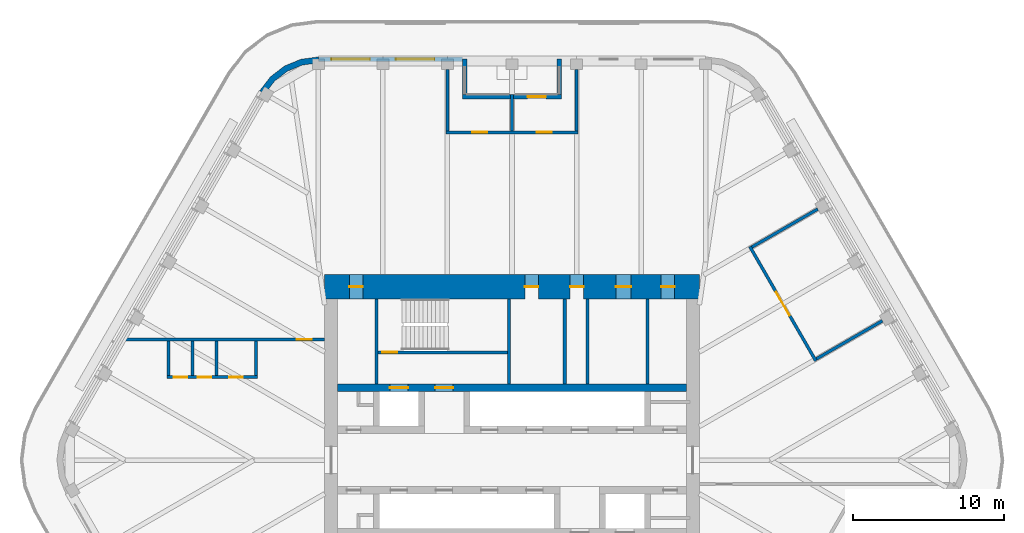
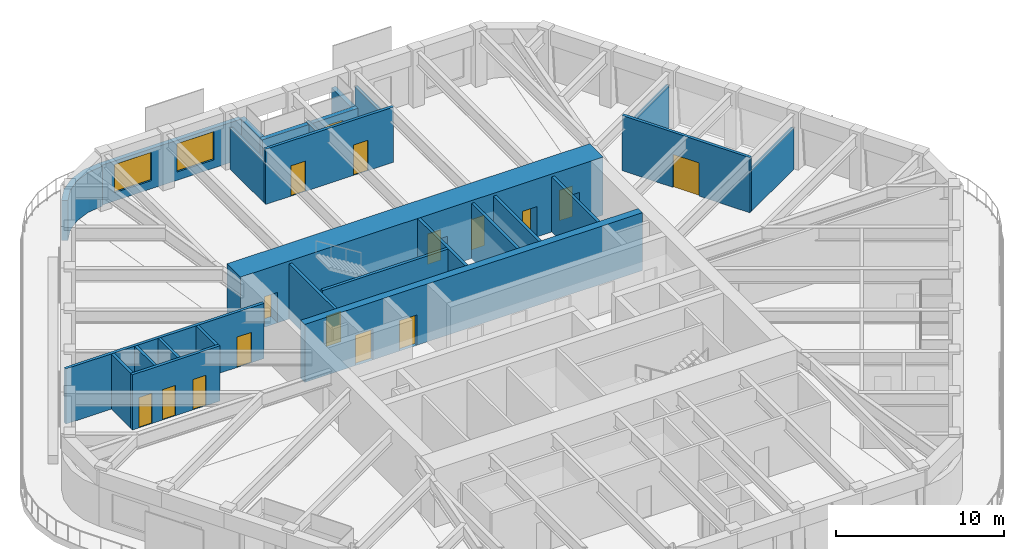
# One storey, part 16 of 20: 26 walls, 16 doors, 2 windows, 18 openings.
"""IFC4 building model written with IfcOpenShell, lengths in metres."""

from ifc_helpers import new_model, si_unit, direction, frame, frame_2d, origin, place, context, subcontext, project, spatial, polyline, rectangle, outline, extrude, material, layer, layer_set, type_object, element, fill, save


model = new_model("IFC4")

# Units and contexts
model_context = context("Model", 3, precision=1e-05, world=origin(), true_north=direction((0.0, 1.0)))
body_context = subcontext(model_context, "Body", "Model", "MODEL_VIEW")
ifc_project = project(units=[si_unit("LENGTHUNIT", "METRE"), si_unit("AREAUNIT", "SQUARE_METRE"), si_unit("VOLUMEUNIT", "CUBIC_METRE"), si_unit("PLANEANGLEUNIT", "RADIAN"), si_unit("MASSUNIT", "GRAM", prefix="KILO")], contexts=[model_context])

# Site, building, storey
site_placement = place(None, origin())
site = spatial("IfcSite", under=ifc_project, at=site_placement, CompositionType="ELEMENT")
building_placement = place(site_placement, origin())
building = spatial("IfcBuilding", under=site, at=building_placement, Name="Tarfa Lantern Tower", CompositionType="ELEMENT")
storey_placement = place(building_placement, frame((0.0, 0.0, 382.89990234375)))
storey = spatial("IfcBuildingStorey", under=building, at=storey_placement, Name="L87", CompositionType="ELEMENT", Elevation=382.89990234375)

# Wall, openings, windows
ifc_material_1 = material(Name="Limestone cladding on blockwork", Category="masonry")
ifc_layer_1 = layer(ifc_material_1, 0.300048828125)
ifc_layer_set_1 = layer_set([ifc_layer_1], Name="EW1 STONE-CLAD WALL 300")
wall_type_1 = type_object("IfcWallType", Name="EW1 STONE-CLAD WALL 300", PredefinedType="SOLIDWALL", material=ifc_layer_set_1)
wall_1_placement = place(storey_placement, frame((-3.281982421875, 26.60009765625, 0.0), z_axis=(0.0, 0.0, 1.0), x_axis=(-1.0, 0.0, 0.0)))
wall_1 = element("IfcWall", 1, at=wall_1_placement, inside=storey, type_object=wall_type_1, Name="Stone wall NB", PredefinedType="SOLIDWALL", context=body_context, shape_type="SweptSolid", body=[
    extrude(rectangle(XDim=9.56396484375, YDim=0.300048828125, at=frame_2d((4.781982421875, 0.0))), origin(), (0.0, 0.0, 1.0), 2.900146484375),
])
opening_1_placement = place(wall_1_placement, frame((1.865966796875, 0.0, 0.60009765625)))
opening_1 = element("IfcOpeningElement", 2, at=opening_1_placement, cuts=wall_1, Name="Opening W17", PredefinedType="OPENING", context=body_context, shape_type="SweptSolid", body=[
    extrude(rectangle(XDim=2.550048828125, YDim=2.050048828125, at=frame_2d((1.27490234375, 1.02490234375))), frame((0.0, 0.159912109375, 0.0), z_axis=(0.0, -1.0, 0.0), x_axis=(1.0, 0.0, 0.0)), (0.0, 0.0, 1.0), 0.320068359375),
])
opening_2_placement = place(wall_1_placement, frame((6.14794921875, 0.0, 0.60009765625)))
opening_2 = element("IfcOpeningElement", 3, at=opening_2_placement, cuts=wall_1, Name="Opening W17", PredefinedType="OPENING", context=body_context, shape_type="SweptSolid", body=[
    extrude(rectangle(XDim=2.550048828125, YDim=2.050048828125, at=frame_2d((1.27490234375, 1.02490234375))), frame((0.0, 0.159912109375, 0.0), z_axis=(0.0, -1.0, 0.0), x_axis=(1.0, 0.0, 0.0)), (0.0, 0.0, 1.0), 0.320068359375),
])
ifc_material_2 = material(Name="Aluminium frame, double glazed", Category="aluminium")
window_type = type_object("IfcWindowType", Name="W17 FULL-HEIGHT GLAZING 2550x2050", PartitioningType="SINGLE_PANEL", PredefinedType="WINDOW", material=ifc_material_2)
window_1_placement = place(opening_1_placement, origin())
window_1 = element("IfcWindow", 4, at=window_1_placement, inside=storey, type_object=window_type, Name="Window NB 1", OverallHeight=2.050048828125, OverallWidth=2.550048828125, PartitioningType="SINGLE_PANEL", PredefinedType="WINDOW", context=body_context, shape_type="SweptSolid", body=[
    extrude(rectangle(XDim=2.550048828125, YDim=2.050048828125, at=frame_2d((1.27490234375, 1.02490234375))), frame((0.0, 0.030029296875, 0.0), z_axis=(0.0, -1.0, 0.0), x_axis=(1.0, 0.0, 0.0)), (0.0, 0.0, 1.0), 0.06005859375),
])
fill(opening_1, window_1)
window_2_placement = place(opening_2_placement, origin())
window_2 = element("IfcWindow", 5, at=window_2_placement, inside=storey, type_object=window_type, Name="Window NB 2", OverallHeight=2.050048828125, OverallWidth=2.550048828125, PartitioningType="SINGLE_PANEL", PredefinedType="WINDOW", context=body_context, shape_type="SweptSolid", body=[
    extrude(rectangle(XDim=2.550048828125, YDim=2.050048828125, at=frame_2d((1.27490234375, 1.02490234375))), frame((0.0, 0.030029296875, 0.0), z_axis=(0.0, -1.0, 0.0), x_axis=(1.0, 0.0, 0.0)), (0.0, 0.0, 1.0), 0.06005859375),
])
fill(opening_2, window_2)

# Walls
for number, where, z_axis, x_axis, name in (
    (6, (3.132080078125, 26.60009765625, 0.0), (0.0, 0.0, 1.0), (0.0, -1.0, 0.0), "Terrace return N 1"),
    (7, (-3.132080078125, 26.60009765625, 0.0), (0.0, 0.0, 1.0), (0.0, -1.0, 0.0), "Terrace return N 2"),
):
    element("IfcWall", number, at=place(storey_placement, frame(where, z_axis=z_axis, x_axis=x_axis)), inside=storey, type_object=wall_type_1, Name=name, PredefinedType="SOLIDWALL", context=body_context, shape_type="SweptSolid", body=[
        extrude(rectangle(XDim=2.35009765625, YDim=0.300048828125, at=frame_2d((1.175048828125, 0.0))), origin(), (0.0, 0.0, 1.0), 2.900146484375),
    ])

# Wall, opening, door
wall_2_placement = place(storey_placement, frame((3.281982421875, 24.10009765625, 0.0), z_axis=(0.0, 0.0, 1.0), x_axis=(-1.0, 0.0, 0.0)))
wall_2 = element("IfcWall", 8, at=wall_2_placement, inside=storey, type_object=wall_type_1, Name="Stone wall NS", PredefinedType="SOLIDWALL", context=body_context, shape_type="SweptSolid", body=[
    extrude(rectangle(XDim=6.56396484375, YDim=0.300048828125, at=frame_2d((3.281982421875, 0.0))), origin(), (0.0, 0.0, 1.0), 2.900146484375),
])
opening_3_placement = place(wall_2_placement, frame((1.041015625, 0.0, 0.0)))
opening_3 = element("IfcOpeningElement", 9, at=opening_3_placement, cuts=wall_2, Name="Opening D40", PredefinedType="OPENING", context=body_context, shape_type="SweptSolid", body=[
    extrude(rectangle(XDim=1.199951171875, YDim=2.39990234375, at=frame_2d((0.60009765625, 1.199951171875))), frame((0.0, 0.159912109375, 0.0), z_axis=(0.0, -1.0, 0.0), x_axis=(1.0, 0.0, 0.0)), (0.0, 0.0, 1.0), 0.320068359375),
])
ifc_material_3 = material(Name="Aluminium framed glazed door", Category="aluminium")
door_type_1 = type_object("IfcDoorType", Name="BE3 BALCONY DOOR 1200x2400", OperationType="SINGLE_SWING_RIGHT", PredefinedType="DOOR", material=ifc_material_3)
door_1_placement = place(opening_3_placement, origin())
door_1 = element("IfcDoor", 10, at=door_1_placement, inside=storey, type_object=door_type_1, Name="Balcony door NS", OperationType="SINGLE_SWING_LEFT", OverallHeight=2.39990234375, OverallWidth=1.199951171875, PredefinedType="DOOR", context=body_context, shape_type="SweptSolid", body=[
    extrude(rectangle(XDim=1.199951171875, YDim=2.39990234375, at=frame_2d((0.60009765625, 1.199951171875))), frame((0.0, 0.02490234375, 0.0), z_axis=(0.0, -1.0, 0.0), x_axis=(1.0, 0.0, 0.0)), (0.0, 0.0, 1.0), 0.050048828125),
])
fill(opening_3, door_1)

# Walls
ifc_layer_2 = layer(ifc_material_1, 0.39990234375)
ifc_layer_set_2 = layer_set([ifc_layer_2], Name="EW2 CURVED STONE CORNER 400")
wall_type_2 = type_object("IfcWallType", Name="EW2 CURVED STONE CORNER 400", PredefinedType="SOLIDWALL", material=ifc_layer_set_2)
wall_3_placement = place(storey_placement, origin())
element("IfcWall", 11, at=wall_3_placement, inside=storey, type_object=wall_type_2, Name="Stone corner N-NW", PredefinedType="SOLIDWALL", context=body_context, shape_type="SweptSolid", body=[
    extrude(outline(polyline([(-12.845947265625, 26.75), (-14.0107421875, 26.5966796875), (-15.095947265625, 26.147216796875), (-16.028076171875, 25.431884765625), (-16.7431640625, 24.5), (-16.396728515625, 24.300048828125), (-15.7451171875, 25.149169921875), (-14.89599609375, 25.80078125), (-13.9072265625, 26.210205078125), (-12.845947265625, 26.35009765625), (-12.845947265625, 26.75)])), origin(), (0.0, 0.0, 1.0), 2.900146484375),
])
ifc_material_4 = material(Name="Concrete blockwork", Category="masonry")
ifc_layer_3 = layer(ifc_material_4, 0.199951171875)
ifc_layer_set_3 = layer_set([ifc_layer_3], Name="IW1 BLOCKWORK PARTITION 200 EI 120")
wall_type_3 = type_object("IfcWallType", Name="IW1 BLOCKWORK PARTITION 200 EI 120", PredefinedType="PARTITIONING", material=ifc_layer_set_3)
for number, where, z_axis, x_axis, name in (
    (12, (-9.0, 5.050048828125, 0.0), (0.0, 0.0, 1.0), (0.0, 1.0, 0.0), "Core partition"),
    (13, (9.0, 5.050048828125, 0.0), (0.0, 0.0, 1.0), (0.0, 1.0, 0.0), "Core partition"),
    (14, (3.5, 5.050048828125, 0.0), (0.0, 0.0, 1.0), (0.0, 1.0, 0.0), "Core partition"),
    (15, (5.0, 5.050048828125, 0.0), (0.0, 0.0, 1.0), (0.0, 1.0, 0.0), "Core partition"),
):
    element("IfcWall", number, at=place(storey_placement, frame(where, z_axis=z_axis, x_axis=x_axis)), inside=storey, type_object=wall_type_3, Name=name, PredefinedType="PARTITIONING", context=body_context, shape_type="SweptSolid", body=[
        extrude(rectangle(XDim=5.64990234375, YDim=0.199951171875, at=frame_2d((2.824951171875, 0.0))), origin(), (0.0, 0.0, 1.0), 4.0),
    ])

# Wall, openings, doors
ifc_material_5 = material(Name="Gypsum board on steel studs", Category="steel")
ifc_layer_4 = layer(ifc_material_5, 0.2099609375)
ifc_layer_set_4 = layer_set([ifc_layer_4], Name="IW2 ACOUSTIC PARTITION 200")
wall_type_4 = type_object("IfcWallType", Name="IW2 ACOUSTIC PARTITION 200", PredefinedType="PARTITIONING", material=ifc_layer_set_4)
wall_4_placement = place(storey_placement, frame((4.382080078125, 21.75, 0.0), z_axis=(0.0, 0.0, 1.0), x_axis=(-1.0, 0.0, 0.0)))
wall_4 = element("IfcWall", 16, at=wall_4_placement, inside=storey, type_object=wall_type_4, Name="Partition", PredefinedType="PARTITIONING", context=body_context, shape_type="SweptSolid", body=[
    extrude(rectangle(XDim=8.76416015625, YDim=0.199951171875, at=frame_2d((4.382080078125, 0.0))), origin(), (0.0, 0.0, 1.0), 4.0),
])
opening_4_placement = place(wall_4_placement, frame((1.740966796875, 0.0, 0.0)))
opening_4 = element("IfcOpeningElement", 17, at=opening_4_placement, cuts=wall_4, Name="Opening D21", PredefinedType="OPENING", context=body_context, shape_type="SweptSolid", body=[
    extrude(rectangle(XDim=1.0, YDim=2.199951171875, at=frame_2d((0.5, 1.10009765625))), frame((0.0, 0.10986328125, 0.0), z_axis=(0.0, -1.0, 0.0), x_axis=(1.0, 0.0, 0.0)), (0.0, 0.0, 1.0), 0.219970703125),
])
opening_5_placement = place(wall_4_placement, frame((6.02294921875, 0.0, 0.0)))
opening_5 = element("IfcOpeningElement", 18, at=opening_5_placement, cuts=wall_4, Name="Opening D22", PredefinedType="OPENING", context=body_context, shape_type="SweptSolid", body=[
    extrude(rectangle(XDim=1.0, YDim=2.199951171875, at=frame_2d((0.5, 1.10009765625))), frame((0.0, 0.10986328125, 0.0), z_axis=(0.0, -1.0, 0.0), x_axis=(1.0, 0.0, 0.0)), (0.0, 0.0, 1.0), 0.219970703125),
])
ifc_material_6 = material(Name="Timber door", Category="wood")
door_type_2 = type_object("IfcDoorType", Name="DR1 ROOM DOOR 1000x2200", OperationType="SINGLE_SWING_LEFT", PredefinedType="DOOR", material=ifc_material_6)
door_2_placement = place(opening_4_placement, frame((1.0, 0.0, 0.0), z_axis=(0.0, 0.0, 1.0), x_axis=(-1.0, 0.0, 0.0)))
door_2 = element("IfcDoor", 19, at=door_2_placement, inside=storey, type_object=door_type_2, Name="Library door", OperationType="SINGLE_SWING_LEFT", OverallHeight=2.199951171875, OverallWidth=1.0, PredefinedType="DOOR", context=body_context, shape_type="SweptSolid", body=[
    extrude(rectangle(XDim=1.0, YDim=2.199951171875, at=frame_2d((0.5, 1.10009765625))), frame((0.0, 0.02490234375, 0.0), z_axis=(0.0, -1.0, 0.0), x_axis=(1.0, 0.0, 0.0)), (0.0, 0.0, 1.0), 0.050048828125),
])
fill(opening_4, door_2)
door_3_placement = place(opening_5_placement, frame((1.0, 0.0, 0.0), z_axis=(0.0, 0.0, 1.0), x_axis=(-1.0, 0.0, 0.0)))
door_3 = element("IfcDoor", 20, at=door_3_placement, inside=storey, type_object=door_type_2, Name="Board secretariat office door", OperationType="SINGLE_SWING_RIGHT", OverallHeight=2.199951171875, OverallWidth=1.0, PredefinedType="DOOR", context=body_context, shape_type="SweptSolid", body=[
    extrude(rectangle(XDim=1.0, YDim=2.199951171875, at=frame_2d((0.5, 1.10009765625))), frame((0.0, 0.02490234375, 0.0), z_axis=(0.0, -1.0, 0.0), x_axis=(1.0, 0.0, 0.0)), (0.0, 0.0, 1.0), 0.050048828125),
])
fill(opening_5, door_3)

# Walls
wall_5_placement = place(storey_placement, frame((4.281982421875, 21.85009765625, 0.0), z_axis=(0.0, 0.0, 1.0), x_axis=(0.0, 1.0, 0.0)))
element("IfcWall", 21, at=wall_5_placement, inside=storey, type_object=wall_type_4, Name="Partition", PredefinedType="PARTITIONING", context=body_context, shape_type="SweptSolid", body=[
    extrude(rectangle(XDim=4.0498046875, YDim=0.199951171875, at=frame_2d((2.02490234375, 0.0))), origin(), (0.0, 0.0, 1.0), 2.991943359375),
])
wall_6_placement = place(storey_placement, frame((0.0, 21.85009765625, 0.0), z_axis=(0.0, 0.0, 1.0), x_axis=(0.0, 1.0, 0.0)))
element("IfcWall", 22, at=wall_6_placement, inside=storey, type_object=wall_type_4, Name="Partition", PredefinedType="PARTITIONING", context=body_context, shape_type="SweptSolid", body=[
    extrude(rectangle(XDim=2.40087890625, YDim=0.199951171875, at=frame_2d((1.200439453125, 0.0))), origin(), (0.0, 0.0, 1.0), 2.991943359375),
])
wall_7_placement = place(storey_placement, frame((-4.281982421875, 21.85009765625, 0.0), z_axis=(0.0, 0.0, 1.0), x_axis=(0.0, 1.0, 0.0)))
element("IfcWall", 23, at=wall_7_placement, inside=storey, type_object=wall_type_4, Name="Partition", PredefinedType="PARTITIONING", context=body_context, shape_type="SweptSolid", body=[
    extrude(rectangle(XDim=4.0498046875, YDim=0.199951171875, at=frame_2d((2.02490234375, 0.0))), origin(), (0.0, 0.0, 1.0), 2.991943359375),
])

# Wall, opening, door
wall_8_placement = place(storey_placement, frame((20.1611328125, 6.580078125, 0.0), z_axis=(0.0, 0.0, 1.0), x_axis=(-0.500006995557, 0.86602136486, 0.0)))
wall_8 = element("IfcWall", 24, at=wall_8_placement, inside=storey, type_object=wall_type_4, Name="Partition", PredefinedType="PARTITIONING", context=body_context, shape_type="SweptSolid", body=[
    extrude(rectangle(XDim=8.763916015625, YDim=0.199951171875, at=frame_2d((4.3818359375, 0.0))), origin(), (0.0, 0.0, 1.0), 4.0),
])
opening_6_placement = place(wall_8_placement, frame((3.48193359375, 0.0, 0.0)))
opening_6 = element("IfcOpeningElement", 25, at=opening_6_placement, cuts=wall_8, Name="Opening D23", PredefinedType="OPENING", context=body_context, shape_type="SweptSolid", body=[
    extrude(rectangle(XDim=1.800048828125, YDim=2.39990234375, at=frame_2d((0.89990234375, 1.199951171875))), frame((0.0, 0.10986328125, 0.0), z_axis=(0.0, -1.0, 0.0), x_axis=(1.0, 0.0, 0.0)), (0.0, 0.0, 1.0), 0.219970703125),
])
door_type_3 = type_object("IfcDoorType", Name="DR2 ROOM DOOR 1800x2400", OperationType="DOUBLE_DOOR_SINGLE_SWING", PredefinedType="DOOR", material=ifc_material_6)
door_4_placement = place(opening_6_placement, frame((1.800048828125, 0.0, 0.0), z_axis=(0.0, 0.0, 1.0), x_axis=(-1.0, 0.0, 0.0)))
door_4 = element("IfcDoor", 26, at=door_4_placement, inside=storey, type_object=door_type_3, Name="Majlis door", OperationType="DOUBLE_DOOR_SINGLE_SWING", OverallHeight=2.39990234375, OverallWidth=1.800048828125, PredefinedType="DOOR", context=body_context, shape_type="SweptSolid", body=[
    extrude(rectangle(XDim=1.800048828125, YDim=2.39990234375, at=frame_2d((0.89990234375, 1.199951171875))), frame((0.0, 0.02490234375, 0.0), z_axis=(0.0, -1.0, 0.0), x_axis=(1.0, 0.0, 0.0)), (0.0, 0.0, 1.0), 0.050048828125),
])
fill(opening_6, door_4)

# Walls
wall_9_placement = place(storey_placement, frame((20.19775390625, 6.716552734375, 0.0), z_axis=(0.0, 0.0, 1.0), x_axis=(0.866006046928, 0.500033525561, 0.0)))
element("IfcWall", 27, at=wall_9_placement, inside=storey, type_object=wall_type_4, Name="Partition", PredefinedType="PARTITIONING", context=body_context, shape_type="SweptSolid", body=[
    extrude(rectangle(XDim=5.050048828125, YDim=0.199951171875, at=frame_2d((2.52490234375, 0.0))), origin(), (0.0, 0.0, 1.0), 2.991943359375),
])
wall_10_placement = place(storey_placement, frame((15.91552734375, 14.13330078125, 0.0), z_axis=(0.0, 0.0, 1.0), x_axis=(0.866018134068, 0.500012591307, 0.0)))
element("IfcWall", 28, at=wall_10_placement, inside=storey, type_object=wall_type_4, Name="Partition", PredefinedType="PARTITIONING", context=body_context, shape_type="SweptSolid", body=[
    extrude(rectangle(XDim=5.050048828125, YDim=0.199951171875, at=frame_2d((2.52490234375, 0.0))), origin(), (0.0, 0.0, 1.0), 3.081787109375),
])

# Wall, opening, door
wall_11_placement = place(storey_placement, frame((-12.425048828125, 8.0, 0.0), z_axis=(0.0, 0.0, 1.0), x_axis=(-1.0, 0.0, 0.0)))
wall_11 = element("IfcWall", 29, at=wall_11_placement, inside=storey, type_object=wall_type_4, Name="Partition", PredefinedType="PARTITIONING", context=body_context, shape_type="SweptSolid", body=[
    extrude(rectangle(XDim=13.59033203125, YDim=0.199951171875, at=frame_2d((6.795166015625, 0.0))), origin(), (0.0, 0.0, 1.0), 4.0),
])
opening_7_placement = place(wall_11_placement, frame((0.859130859375, 0.0, 0.0)))
opening_7 = element("IfcOpeningElement", 30, at=opening_7_placement, cuts=wall_11, Name="Opening D38", PredefinedType="OPENING", context=body_context, shape_type="SweptSolid", body=[
    extrude(rectangle(XDim=1.0, YDim=2.199951171875, at=frame_2d((0.5, 1.10009765625))), frame((0.0, 0.10986328125, 0.0), z_axis=(0.0, -1.0, 0.0), x_axis=(1.0, 0.0, 0.0)), (0.0, 0.0, 1.0), 0.219970703125),
])
door_5_placement = place(opening_7_placement, origin())
door_5 = element("IfcDoor", 31, at=door_5_placement, inside=storey, type_object=door_type_2, Name="Zone door", OperationType="SINGLE_SWING_RIGHT", OverallHeight=2.199951171875, OverallWidth=1.0, PredefinedType="DOOR", context=body_context, shape_type="SweptSolid", body=[
    extrude(rectangle(XDim=1.0, YDim=2.199951171875, at=frame_2d((0.5, 1.10009765625))), frame((0.0, 0.02490234375, 0.0), z_axis=(0.0, -1.0, 0.0), x_axis=(1.0, 0.0, 0.0)), (0.0, 0.0, 1.0), 0.050048828125),
])
fill(opening_7, door_5)

# Wall, openings, doors
wall_12_placement = place(storey_placement, frame((-16.899658203125, 5.5, 0.0), z_axis=(0.0, 0.0, 1.0), x_axis=(-1.0, 0.0, 0.0)))
wall_12 = element("IfcWall", 32, at=wall_12_placement, inside=storey, type_object=wall_type_4, Name="Partition", PredefinedType="PARTITIONING", context=body_context, shape_type="SweptSolid", body=[
    extrude(rectangle(XDim=6.0, YDim=0.199951171875, at=frame_2d((3.0, 0.0))), origin(), (0.0, 0.0, 1.0), 4.0),
])
opening_8_placement = place(wall_12_placement, frame((0.949951171875, 0.0, 0.0)))
opening_8 = element("IfcOpeningElement", 33, at=opening_8_placement, cuts=wall_12, Name="Opening D31", PredefinedType="OPENING", context=body_context, shape_type="SweptSolid", body=[
    extrude(rectangle(XDim=0.89990234375, YDim=2.199951171875, at=frame_2d((0.449951171875, 1.10009765625))), frame((0.0, 0.10986328125, 0.0), z_axis=(0.0, -1.0, 0.0), x_axis=(1.0, 0.0, 0.0)), (0.0, 0.0, 1.0), 0.219970703125),
])
opening_9_placement = place(wall_12_placement, frame((3.050048828125, 0.0, 0.0)))
opening_9 = element("IfcOpeningElement", 34, at=opening_9_placement, cuts=wall_12, Name="Opening D32", PredefinedType="OPENING", context=body_context, shape_type="SweptSolid", body=[
    extrude(rectangle(XDim=0.89990234375, YDim=2.199951171875, at=frame_2d((0.449951171875, 1.10009765625))), frame((0.0, 0.10986328125, 0.0), z_axis=(0.0, -1.0, 0.0), x_axis=(1.0, 0.0, 0.0)), (0.0, 0.0, 1.0), 0.219970703125),
])
opening_10_placement = place(wall_12_placement, frame((4.64990234375, 0.0, 0.0)))
opening_10 = element("IfcOpeningElement", 35, at=opening_10_placement, cuts=wall_12, Name="Opening D33", PredefinedType="OPENING", context=body_context, shape_type="SweptSolid", body=[
    extrude(rectangle(XDim=0.89990234375, YDim=2.199951171875, at=frame_2d((0.449951171875, 1.10009765625))), frame((0.0, 0.10986328125, 0.0), z_axis=(0.0, -1.0, 0.0), x_axis=(1.0, 0.0, 0.0)), (0.0, 0.0, 1.0), 0.219970703125),
])
door_type_4 = type_object("IfcDoorType", Name="DR3 ROOM DOOR 900x2200", OperationType="SINGLE_SWING_LEFT", PredefinedType="DOOR", material=ifc_material_6)
door_6_placement = place(opening_8_placement, frame((0.89990234375, 0.0, 0.0), z_axis=(0.0, 0.0, 1.0), x_axis=(-1.0, 0.0, 0.0)))
door_6 = element("IfcDoor", 36, at=door_6_placement, inside=storey, type_object=door_type_4, Name="Print and copy room door", OperationType="SINGLE_SWING_LEFT", OverallHeight=2.199951171875, OverallWidth=0.89990234375, PredefinedType="DOOR", context=body_context, shape_type="SweptSolid", body=[
    extrude(rectangle(XDim=0.89990234375, YDim=2.199951171875, at=frame_2d((0.449951171875, 1.10009765625))), frame((0.0, 0.02490234375, 0.0), z_axis=(0.0, -1.0, 0.0), x_axis=(1.0, 0.0, 0.0)), (0.0, 0.0, 1.0), 0.050048828125),
])
fill(opening_8, door_6)
door_7_placement = place(opening_9_placement, frame((0.89990234375, 0.0, 0.0), z_axis=(0.0, 0.0, 1.0), x_axis=(-1.0, 0.0, 0.0)))
door_7 = element("IfcDoor", 37, at=door_7_placement, inside=storey, type_object=door_type_4, Name="Phone booth door", OperationType="SINGLE_SWING_RIGHT", OverallHeight=2.199951171875, OverallWidth=0.89990234375, PredefinedType="DOOR", context=body_context, shape_type="SweptSolid", body=[
    extrude(rectangle(XDim=0.89990234375, YDim=2.199951171875, at=frame_2d((0.449951171875, 1.10009765625))), frame((0.0, 0.02490234375, 0.0), z_axis=(0.0, -1.0, 0.0), x_axis=(1.0, 0.0, 0.0)), (0.0, 0.0, 1.0), 0.050048828125),
])
fill(opening_9, door_7)
door_8_placement = place(opening_10_placement, frame((0.89990234375, 0.0, 0.0), z_axis=(0.0, 0.0, 1.0), x_axis=(-1.0, 0.0, 0.0)))
door_8 = element("IfcDoor", 38, at=door_8_placement, inside=storey, type_object=door_type_4, Name="Phone booth door", OperationType="SINGLE_SWING_RIGHT", OverallHeight=2.199951171875, OverallWidth=0.89990234375, PredefinedType="DOOR", context=body_context, shape_type="SweptSolid", body=[
    extrude(rectangle(XDim=0.89990234375, YDim=2.199951171875, at=frame_2d((0.449951171875, 1.10009765625))), frame((0.0, 0.02490234375, 0.0), z_axis=(0.0, -1.0, 0.0), x_axis=(1.0, 0.0, 0.0)), (0.0, 0.0, 1.0), 0.050048828125),
])
fill(opening_10, door_8)

# Walls
for number, where, z_axis, x_axis, name in (
    (39, (-16.999755859375, 7.89990234375, 0.0), (0.0, 0.0, 1.0), (0.0, -1.0, 0.0), "Partition"),
    (40, (-19.599609375, 7.89990234375, 0.0), (0.0, 0.0, 1.0), (0.0, -1.0, 0.0), "Partition"),
    (41, (-21.19970703125, 7.89990234375, 0.0), (0.0, 0.0, 1.0), (0.0, -1.0, 0.0), "Partition"),
    (42, (-22.799560546875, 7.89990234375, 0.0), (0.0, 0.0, 1.0), (0.0, -1.0, 0.0), "Partition"),
):
    element("IfcWall", number, at=place(storey_placement, frame(where, z_axis=z_axis, x_axis=x_axis)), inside=storey, type_object=wall_type_4, Name=name, PredefinedType="PARTITIONING", context=body_context, shape_type="SweptSolid", body=[
        extrude(rectangle(XDim=2.2998046875, YDim=0.199951171875, at=frame_2d((1.14990234375, 0.0))), origin(), (0.0, 0.0, 1.0), 4.0),
    ])
ifc_material_7 = material(Name="Concrete C80/95", Category="concrete")
ifc_layer_5 = layer(ifc_material_7, 0.199951171875)
ifc_layer_set_5 = layer_set([ifc_layer_5], Name="SW12 CORE WALL 200")
wall_type_5 = type_object("IfcWallType", Name="SW12 CORE WALL 200", PredefinedType="SHEAR", material=ifc_layer_set_5)
wall_13_placement = place(storey_placement, frame((-0.199951171875, 5.050048828125, 0.0), z_axis=(0.0, 0.0, 1.0), x_axis=(0.0, 1.0, 0.0)))
element("IfcWall", 43, at=wall_13_placement, inside=storey, type_object=wall_type_5, Name="Core wall stair shaft N", PredefinedType="SHEAR", context=body_context, shape_type="SweptSolid", body=[
    extrude(rectangle(XDim=5.64990234375, YDim=0.199951171875, at=frame_2d((2.824951171875, 0.0))), origin(), (0.0, 0.0, 1.0), 4.2001953125),
])

# Wall, opening, door
wall_14_placement = place(storey_placement, frame((-8.89990234375, 7.14990234375, 0.0), z_axis=(0.0, 0.0, 1.0), x_axis=(1.0, 0.0, 0.0)))
wall_14 = element("IfcWall", 44, at=wall_14_placement, inside=storey, type_object=wall_type_5, Name="Core wall stair partition N", PredefinedType="SHEAR", context=body_context, shape_type="SweptSolid", body=[
    extrude(rectangle(XDim=8.599853515625, YDim=0.199951171875, at=frame_2d((4.2998046875, 0.0))), origin(), (0.0, 0.0, 1.0), 4.2001953125),
])
opening_11_placement = place(wall_14_placement, frame((0.300048828125, 0.0, 0.0)))
opening_11 = element("IfcOpeningElement", 45, at=opening_11_placement, cuts=wall_14, Name="Opening D19", PredefinedType="OPENING", context=body_context, shape_type="SweptSolid", body=[
    extrude(rectangle(XDim=1.0, YDim=2.199951171875, at=frame_2d((0.5, 1.10009765625))), frame((0.0, 0.10986328125, 0.0), z_axis=(0.0, -1.0, 0.0), x_axis=(1.0, 0.0, 0.0)), (0.0, 0.0, 1.0), 0.219970703125),
])
ifc_material_8 = material(Name="Steel fire door", Category="steel")
door_type_5 = type_object("IfcDoorType", Name="DF2 STAIR DOOR 1000x2200", OperationType="SINGLE_SWING_LEFT", PredefinedType="DOOR", material=ifc_material_8)
door_9_placement = place(opening_11_placement, origin())
door_9 = element("IfcDoor", 46, at=door_9_placement, inside=storey, type_object=door_type_5, Name="Stair door", OperationType="SINGLE_SWING_RIGHT", OverallHeight=2.199951171875, OverallWidth=1.0, PredefinedType="DOOR", context=body_context, shape_type="SweptSolid", body=[
    extrude(rectangle(XDim=1.0, YDim=2.199951171875, at=frame_2d((0.5, 1.10009765625))), frame((0.0, 0.02490234375, 0.0), z_axis=(0.0, -1.0, 0.0), x_axis=(1.0, 0.0, 0.0)), (0.0, 0.0, 1.0), 0.050048828125),
])
fill(opening_11, door_9)

# Wall, openings, doors
ifc_layer_6 = layer(ifc_material_7, 0.5)
ifc_layer_set_6 = layer_set([ifc_layer_6], Name="SW5 CORE WALL 500")
wall_type_6 = type_object("IfcWallType", Name="SW5 CORE WALL 500", PredefinedType="SHEAR", material=ifc_layer_set_6)
wall_15_placement = place(storey_placement, frame((-11.574951171875, 4.800048828125, 0.0), z_axis=(0.0, 0.0, 1.0), x_axis=(1.0, 0.0, 0.0)))
wall_15 = element("IfcWall", 47, at=wall_15_placement, inside=storey, type_object=wall_type_6, Name="Core wall rear N", PredefinedType="SHEAR", context=body_context, shape_type="SweptSolid", body=[
    extrude(rectangle(XDim=23.14990234375, YDim=0.5, at=frame_2d((11.574951171875, 0.0))), origin(), (0.0, 0.0, 1.0), 4.2001953125),
])
opening_12_placement = place(wall_15_placement, frame((6.47509765625, 0.0, 0.0)))
opening_12 = element("IfcOpeningElement", 48, at=opening_12_placement, cuts=wall_15, Name="Opening D05", PredefinedType="OPENING", context=body_context, shape_type="SweptSolid", body=[
    extrude(rectangle(XDim=1.199951171875, YDim=2.199951171875, at=frame_2d((0.60009765625, 1.10009765625))), frame((0.0, 0.260009765625, 0.0), z_axis=(0.0, -1.0, 0.0), x_axis=(1.0, 0.0, 0.0)), (0.0, 0.0, 1.0), 0.52001953125),
])
opening_13_placement = place(wall_15_placement, frame((3.47509765625, 0.0, 0.0)))
opening_13 = element("IfcOpeningElement", 49, at=opening_13_placement, cuts=wall_15, Name="Opening LD01", PredefinedType="OPENING", context=body_context, shape_type="SweptSolid", body=[
    extrude(rectangle(XDim=1.199951171875, YDim=2.199951171875, at=frame_2d((0.60009765625, 1.10009765625))), frame((0.0, 0.260009765625, 0.0), z_axis=(0.0, -1.0, 0.0), x_axis=(1.0, 0.0, 0.0)), (0.0, 0.0, 1.0), 0.52001953125),
])
door_type_6 = type_object("IfcDoorType", Name="DF1 FIREFIGHTING LOBBY DOOR 1200x2200", OperationType="SINGLE_SWING_LEFT", PredefinedType="DOOR", material=ifc_material_8)
door_10_placement = place(opening_12_placement, origin())
door_10 = element("IfcDoor", 50, at=door_10_placement, inside=storey, type_object=door_type_6, Name="Firefighting lobby door", OperationType="SINGLE_SWING_LEFT", OverallHeight=2.199951171875, OverallWidth=1.199951171875, PredefinedType="DOOR", context=body_context, shape_type="SweptSolid", body=[
    extrude(rectangle(XDim=1.199951171875, YDim=2.199951171875, at=frame_2d((0.60009765625, 1.10009765625))), frame((0.0, 0.02490234375, 0.0), z_axis=(0.0, -1.0, 0.0), x_axis=(1.0, 0.0, 0.0)), (0.0, 0.0, 1.0), 0.050048828125),
])
fill(opening_12, door_10)
ifc_material_9 = material(Name="Stainless steel lift door", Category="steel")
door_type_7 = type_object("IfcDoorType", Name="LD1 LIFT LANDING DOOR 1200x2200", OperationType="SLIDING_TO_LEFT", PredefinedType="DOOR", material=ifc_material_9)
door_11_placement = place(opening_13_placement, origin())
door_11 = element("IfcDoor", 51, at=door_11_placement, inside=storey, type_object=door_type_7, Name="Landing door FL1", OperationType="SLIDING_TO_LEFT", OverallHeight=2.199951171875, OverallWidth=1.199951171875, PredefinedType="DOOR", context=body_context, shape_type="SweptSolid", body=[
    extrude(rectangle(XDim=1.199951171875, YDim=2.199951171875, at=frame_2d((0.60009765625, 1.10009765625))), frame((0.0, 0.02490234375, 0.0), z_axis=(0.0, -1.0, 0.0), x_axis=(1.0, 0.0, 0.0)), (0.0, 0.0, 1.0), 0.050048828125),
])
fill(opening_13, door_11)

ifc_layer_7 = layer(ifc_material_7, 1.60009765625)
ifc_layer_set_7 = layer_set([ifc_layer_7], Name="SW7 CORE WALL 1600")
wall_type_7 = type_object("IfcWallType", Name="SW7 CORE WALL 1600", PredefinedType="SHEAR", material=ifc_layer_set_7)
wall_16_placement = place(storey_placement, frame((-12.425048828125, 11.5, 0.0), z_axis=(0.0, 0.0, 1.0), x_axis=(1.0, 0.0, 0.0)))
wall_16 = element("IfcWall", 52, at=wall_16_placement, inside=storey, type_object=wall_type_7, Name="Core wall N", PredefinedType="SHEAR", context=body_context, shape_type="SweptSolid", body=[
    extrude(rectangle(XDim=24.85009765625, YDim=1.60009765625, at=frame_2d((12.425048828125, 0.0))), origin(), (0.0, 0.0, 1.0), 4.2001953125),
])
opening_14_placement = place(wall_16_placement, frame((13.27490234375, 0.0, 0.0)))
opening_14 = element("IfcOpeningElement", 53, at=opening_14_placement, cuts=wall_16, Name="Opening D13", PredefinedType="OPENING", context=body_context, shape_type="SweptSolid", body=[
    extrude(rectangle(XDim=0.89990234375, YDim=2.199951171875, at=frame_2d((0.449951171875, 1.10009765625))), frame((0.0, 0.81005859375, 0.0), z_axis=(0.0, -1.0, 0.0), x_axis=(1.0, 0.0, 0.0)), (0.0, 0.0, 1.0), 1.6201171875),
])
opening_15_placement = place(wall_16_placement, frame((16.27490234375, 0.0, 0.0)))
opening_15 = element("IfcOpeningElement", 54, at=opening_15_placement, cuts=wall_16, Name="Opening D15", PredefinedType="OPENING", context=body_context, shape_type="SweptSolid", body=[
    extrude(rectangle(XDim=0.89990234375, YDim=2.199951171875, at=frame_2d((0.449951171875, 1.10009765625))), frame((0.0, 0.81005859375, 0.0), z_axis=(0.0, -1.0, 0.0), x_axis=(1.0, 0.0, 0.0)), (0.0, 0.0, 1.0), 1.6201171875),
])
opening_16_placement = place(wall_16_placement, frame((19.324951171875, 0.0, 0.0)))
opening_16 = element("IfcOpeningElement", 55, at=opening_16_placement, cuts=wall_16, Name="Opening D17", PredefinedType="OPENING", context=body_context, shape_type="SweptSolid", body=[
    extrude(rectangle(XDim=1.0, YDim=2.199951171875, at=frame_2d((0.5, 1.10009765625))), frame((0.0, 0.81005859375, 0.0), z_axis=(0.0, -1.0, 0.0), x_axis=(1.0, 0.0, 0.0)), (0.0, 0.0, 1.0), 1.6201171875),
])
opening_17_placement = place(wall_16_placement, frame((1.637451171875, 0.0, 0.0)))
opening_17 = element("IfcOpeningElement", 56, at=opening_17_placement, cuts=wall_16, Name="Opening D03", PredefinedType="OPENING", context=body_context, shape_type="SweptSolid", body=[
    extrude(rectangle(XDim=0.89990234375, YDim=2.199951171875, at=frame_2d((0.449951171875, 1.10009765625))), frame((0.0, 0.81005859375, 0.0), z_axis=(0.0, -1.0, 0.0), x_axis=(1.0, 0.0, 0.0)), (0.0, 0.0, 1.0), 1.6201171875),
])
opening_18_placement = place(wall_16_placement, frame((22.3125, 0.0, 0.0)))
opening_18 = element("IfcOpeningElement", 57, at=opening_18_placement, cuts=wall_16, Name="Opening D01", PredefinedType="OPENING", context=body_context, shape_type="SweptSolid", body=[
    extrude(rectangle(XDim=0.89990234375, YDim=2.199951171875, at=frame_2d((0.449951171875, 1.10009765625))), frame((0.0, 0.81005859375, 0.0), z_axis=(0.0, -1.0, 0.0), x_axis=(1.0, 0.0, 0.0)), (0.0, 0.0, 1.0), 1.6201171875),
])
door_type_8 = type_object("IfcDoorType", Name="DF3 CORE ROOM DOOR 900x2200", OperationType="SINGLE_SWING_LEFT", PredefinedType="DOOR", material=ifc_material_8)
door_12_placement = place(opening_14_placement, frame((0.89990234375, 0.0, 0.0), z_axis=(0.0, 0.0, 1.0), x_axis=(-1.0, 0.0, 0.0)))
door_12 = element("IfcDoor", 58, at=door_12_placement, inside=storey, type_object=door_type_8, Name="Core door", OperationType="SINGLE_SWING_LEFT", OverallHeight=2.199951171875, OverallWidth=0.89990234375, PredefinedType="DOOR", context=body_context, shape_type="SweptSolid", body=[
    extrude(rectangle(XDim=0.89990234375, YDim=2.199951171875, at=frame_2d((0.449951171875, 1.10009765625))), frame((0.0, 0.02490234375, 0.0), z_axis=(0.0, -1.0, 0.0), x_axis=(1.0, 0.0, 0.0)), (0.0, 0.0, 1.0), 0.050048828125),
])
fill(opening_14, door_12)
door_13_placement = place(opening_15_placement, frame((0.89990234375, 0.0, 0.0), z_axis=(0.0, 0.0, 1.0), x_axis=(-1.0, 0.0, 0.0)))
door_13 = element("IfcDoor", 59, at=door_13_placement, inside=storey, type_object=door_type_8, Name="Core door", OperationType="SINGLE_SWING_RIGHT", OverallHeight=2.199951171875, OverallWidth=0.89990234375, PredefinedType="DOOR", context=body_context, shape_type="SweptSolid", body=[
    extrude(rectangle(XDim=0.89990234375, YDim=2.199951171875, at=frame_2d((0.449951171875, 1.10009765625))), frame((0.0, 0.02490234375, 0.0), z_axis=(0.0, -1.0, 0.0), x_axis=(1.0, 0.0, 0.0)), (0.0, 0.0, 1.0), 0.050048828125),
])
fill(opening_15, door_13)
door_type_9 = type_object("IfcDoorType", Name="DF4 CORE ROOM DOOR 1000x2200", OperationType="SINGLE_SWING_LEFT", PredefinedType="DOOR", material=ifc_material_8)
door_14_placement = place(opening_16_placement, frame((1.0, 0.0, 0.0), z_axis=(0.0, 0.0, 1.0), x_axis=(-1.0, 0.0, 0.0)))
door_14 = element("IfcDoor", 60, at=door_14_placement, inside=storey, type_object=door_type_9, Name="Core door", OperationType="SINGLE_SWING_RIGHT", OverallHeight=2.199951171875, OverallWidth=1.0, PredefinedType="DOOR", context=body_context, shape_type="SweptSolid", body=[
    extrude(rectangle(XDim=1.0, YDim=2.199951171875, at=frame_2d((0.5, 1.10009765625))), frame((0.0, 0.02490234375, 0.0), z_axis=(0.0, -1.0, 0.0), x_axis=(1.0, 0.0, 0.0)), (0.0, 0.0, 1.0), 0.050048828125),
])
fill(opening_16, door_14)
door_type_10 = type_object("IfcDoorType", Name="DF5 RISER DOOR 900x2200", OperationType="SINGLE_SWING_LEFT", PredefinedType="DOOR", material=ifc_material_8)
door_15_placement = place(opening_17_placement, frame((0.89990234375, 0.0, 0.0), z_axis=(0.0, 0.0, 1.0), x_axis=(-1.0, 0.0, 0.0)))
door_15 = element("IfcDoor", 61, at=door_15_placement, inside=storey, type_object=door_type_10, Name="Riser door", OperationType="SINGLE_SWING_LEFT", OverallHeight=2.199951171875, OverallWidth=0.89990234375, PredefinedType="DOOR", context=body_context, shape_type="SweptSolid", body=[
    extrude(rectangle(XDim=0.89990234375, YDim=2.199951171875, at=frame_2d((0.449951171875, 1.10009765625))), frame((0.0, 0.02490234375, 0.0), z_axis=(0.0, -1.0, 0.0), x_axis=(1.0, 0.0, 0.0)), (0.0, 0.0, 1.0), 0.050048828125),
])
fill(opening_17, door_15)
door_16_placement = place(opening_18_placement, frame((0.89990234375, 0.0, 0.0), z_axis=(0.0, 0.0, 1.0), x_axis=(-1.0, 0.0, 0.0)))
door_16 = element("IfcDoor", 62, at=door_16_placement, inside=storey, type_object=door_type_10, Name="Riser door", OperationType="SINGLE_SWING_RIGHT", OverallHeight=2.199951171875, OverallWidth=0.89990234375, PredefinedType="DOOR", context=body_context, shape_type="SweptSolid", body=[
    extrude(rectangle(XDim=0.89990234375, YDim=2.199951171875, at=frame_2d((0.449951171875, 1.10009765625))), frame((0.0, 0.02490234375, 0.0), z_axis=(0.0, -1.0, 0.0), x_axis=(1.0, 0.0, 0.0)), (0.0, 0.0, 1.0), 0.050048828125),
])
fill(opening_18, door_16)

save(model, "model.ifc")
